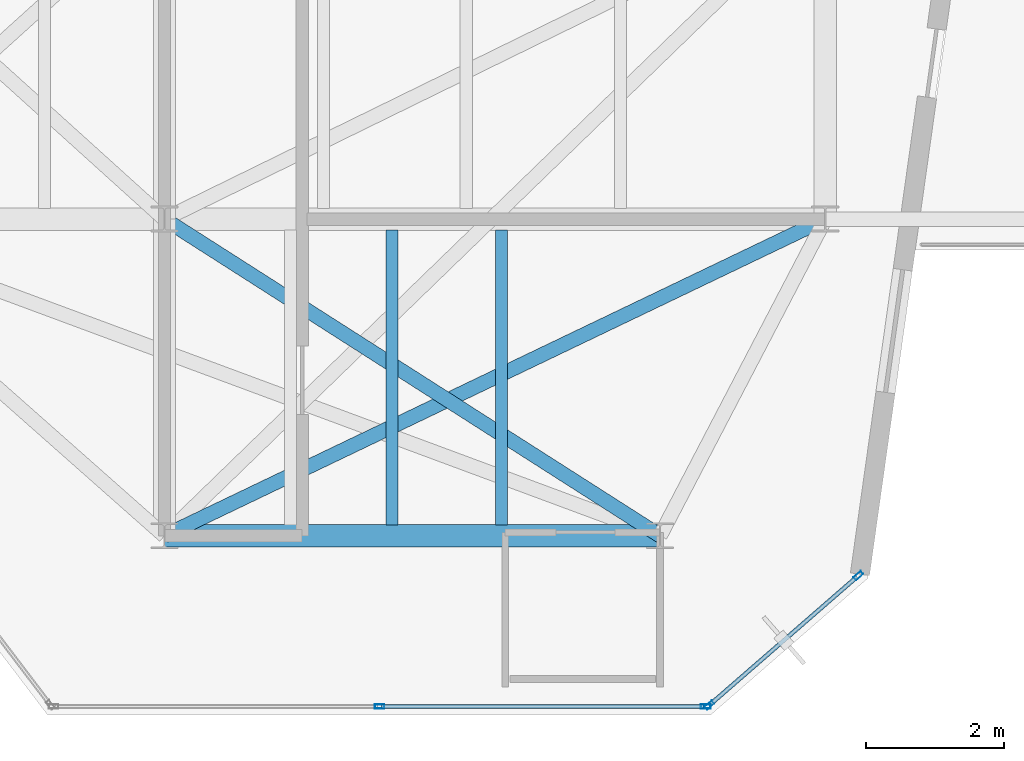
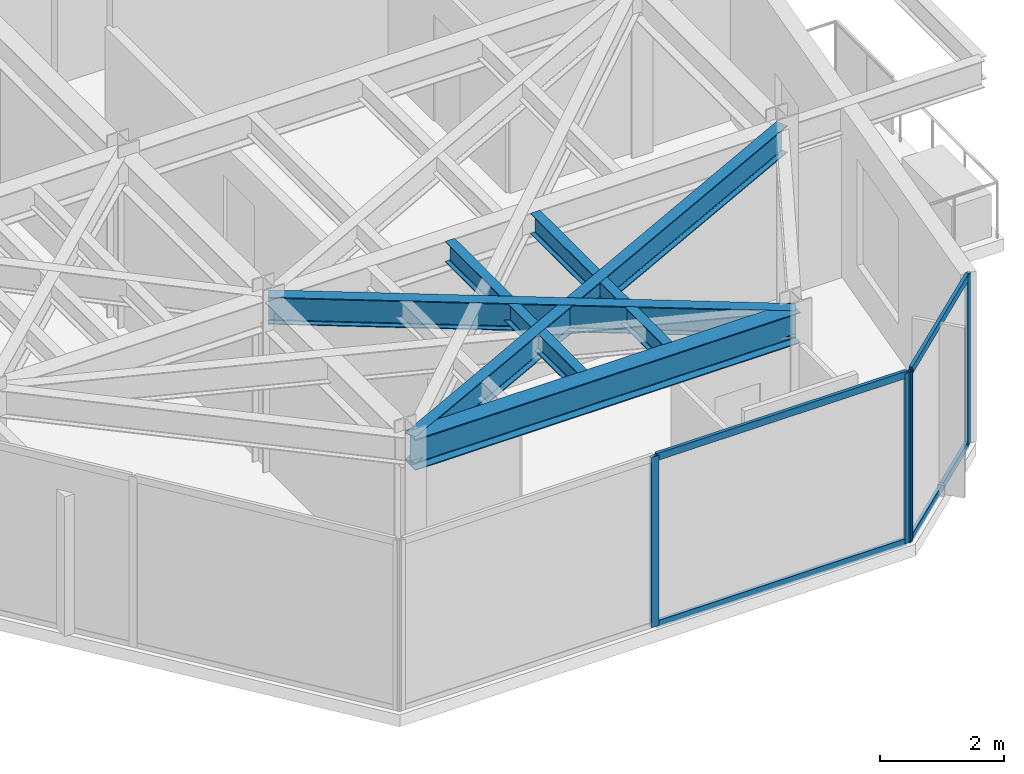
# One storey, part 9 of 16: 8 members, 5 beams, 2 elements without a shape of their own.
"""IFC4 building model written with IfcOpenShell, lengths in metres."""

import ifcopenshell
import ifcopenshell.guid

model = None  # the IFC model being written
_history = None  # IfcOwnerHistory: only IFC2X3 demands one
_inside = {}  # id of a spatial element -> (the spatial element, [elements in it])
_under = {}  # id of a project, library or spatial element -> (it, [spatial elements below it])
_declared = {}  # id of a project -> (the project, [libraries it declares])
_typed = {}  # id of a type object -> (the type object, [elements of that type])
_made_of = {}  # id of a material, layer set ... -> (it, [elements and type objects made of it])


def new_model(schema):
    """Start an empty IFC model of exactly this schema.

    Asked for "IFC4X3", IfcOpenShell would pick the latest addendum, in which some entities
    have other attributes; the version numbers below select the first issue.
    IFC2X3 requires an IfcOwnerHistory on every rooted entity: one is made here for all.
    """
    global model, _history
    if schema == "IFC4X3":
        model = ifcopenshell.file(schema_version=(4, 3, 0, 0))
    else:
        model = ifcopenshell.file(schema=schema)
    _inside.clear()
    _under.clear()
    _declared.clear()
    _typed.clear()
    _made_of.clear()
    _history = None
    if model.schema == "IFC2X3":
        org = make("IfcOrganization", Name="unknown")
        user = make(
            "IfcPersonAndOrganization",
            ThePerson=make("IfcPerson", FamilyName="unknown"),
            TheOrganization=org,
        )
        app = make(
            "IfcApplication",
            ApplicationDeveloper=org,
            Version="unknown",
            ApplicationFullName="unknown",
            ApplicationIdentifier="unknown",
        )
        _history = make(
            "IfcOwnerHistory",
            OwningUser=user,
            OwningApplication=app,
            ChangeAction="ADDED",
            CreationDate=0,
        )
    return model


def make(cls, **values):
    """One entity of the class cls with the attributes given. An attribute that is None is left unset."""
    return model.create_entity(
        cls, **{name: value for name, value in values.items() if value is not None}
    )


def rooted(cls, **values):
    """An entity with a GlobalId (a new one), such as an element, a storey or a relation."""
    return make(cls, GlobalId=ifcopenshell.guid.new(), OwnerHistory=_history, **values)


def si_unit(unit_type, name, prefix=None):
    """IfcSIUnit, for example si_unit("LENGTHUNIT", "METRE", prefix="MILLI")."""
    return make("IfcSIUnit", UnitType=unit_type, Prefix=prefix, Name=name)


def assignment(units):
    """IfcUnitAssignment: the units of a project."""
    return None if units is None else make("IfcUnitAssignment", Units=units)


def point(xyz):
    """IfcCartesianPoint."""
    return None if xyz is None else make("IfcCartesianPoint", Coordinates=xyz)


def direction(xyz):
    """IfcDirection."""
    return None if xyz is None else make("IfcDirection", DirectionRatios=xyz)


def frame(location, z_axis=None, x_axis=None):
    """IfcAxis2Placement3D, a coordinate frame: its origin and axes. An axis left out is left unset."""
    return make(
        "IfcAxis2Placement3D",
        Location=point(location),
        Axis=direction(z_axis),
        RefDirection=direction(x_axis),
    )


def frame_2d(location, x_axis=None):
    """IfcAxis2Placement2D, a coordinate frame in the plane: its origin and x axis."""
    return make(
        "IfcAxis2Placement2D", Location=point(location), RefDirection=direction(x_axis)
    )


def origin():
    """The frame at (0, 0, 0) with its axes left unset."""
    return frame((0.0, 0.0, 0.0))


def origin_2d():
    """The frame at (0, 0) in the plane with its x axis left unset."""
    return frame_2d((0.0, 0.0))


def place(relative_to, where):
    """IfcLocalPlacement: puts the frame where relative to a parent placement (None: the world)."""
    return make(
        "IfcLocalPlacement", PlacementRelTo=relative_to, RelativePlacement=where
    )


def context(
    kind, dimensions, precision=None, world=None, true_north=None, identifier=None
):
    """IfcGeometricRepresentationContext, for example the 3D "Model" context."""
    return make(
        "IfcGeometricRepresentationContext",
        ContextIdentifier=identifier,
        ContextType=kind,
        CoordinateSpaceDimension=dimensions,
        Precision=precision,
        WorldCoordinateSystem=world,
        TrueNorth=true_north,
    )


def subcontext(parent, identifier, kind, view, scale=None):
    """IfcGeometricRepresentationSubContext, for example "Body" below "Model"."""
    return make(
        "IfcGeometricRepresentationSubContext",
        ContextIdentifier=identifier,
        ContextType=kind,
        ParentContext=parent,
        TargetScale=scale,
        TargetView=view,
    )


def project(units=None, contexts=None):
    """IfcProject with its units and contexts."""
    return rooted(
        "IfcProject",
        Name="project",
        RepresentationContexts=contexts,
        UnitsInContext=assignment(units),
    )


def spatial(cls, under=None, at=None, **own):
    """A site, building, storey or space (cls), placed at a placement, below another one or the project."""
    s = rooted(cls, ObjectPlacement=at, **own)
    if under is not None:
        _under.setdefault(under.id(), (under, []))[1].append(s)
    return s


def profile(cls, at=None, kind="AREA", **sizes):
    """A parametric profile (cls). Its sizes go by their IFC names, for example OverallWidth=200.0."""
    return make(cls, ProfileType=kind, Position=at, **sizes)


def hollow_rectangle(**sizes):
    """IfcRectangleHollowProfileDef."""
    return profile("IfcRectangleHollowProfileDef", **sizes)


def i_section(**sizes):
    """IfcIShapeProfileDef."""
    return profile("IfcIShapeProfileDef", **sizes)


def extrude(swept, where, along, depth):
    """IfcExtrudedAreaSolid: the profile swept, set in the frame where, extruded along a direction by depth."""
    return make(
        "IfcExtrudedAreaSolid",
        SweptArea=swept,
        Position=where,
        ExtrudedDirection=direction(along),
        Depth=depth,
    )


def shape(context_of_items, identifier, shape_type, items):
    """IfcShapeRepresentation: the items that make up one representation, for example the "Body"."""
    return make(
        "IfcShapeRepresentation",
        ContextOfItems=context_of_items,
        RepresentationIdentifier=identifier,
        RepresentationType=shape_type,
        Items=items,
    )


def material(Name=None, Category=None):
    """IfcMaterial."""
    return make("IfcMaterial", Name=Name, Category=Category)


def layer(
    of_material, thickness, ventilated=None, Name=None, Category=None, Priority=None
):
    """IfcMaterialLayer: one layer of a wall or slab, of a material (None: an air gap)."""
    return make(
        "IfcMaterialLayer",
        Material=of_material,
        LayerThickness=thickness,
        IsVentilated=ventilated,
        Name=Name,
        Category=Category,
        Priority=Priority,
    )


def layer_set(layers, Name=None):
    """IfcMaterialLayerSet."""
    return make("IfcMaterialLayerSet", MaterialLayers=layers, LayerSetName=Name)


def material_profile(
    of_material, cross_section, Name=None, Category=None, Priority=None
):
    """IfcMaterialProfile: a cross section and its material."""
    return make(
        "IfcMaterialProfile",
        Name=Name,
        Material=of_material,
        Profile=cross_section,
        Priority=Priority,
        Category=Category,
    )


def profile_set(profiles, Name=None, composite=None):
    """IfcMaterialProfileSet."""
    return make(
        "IfcMaterialProfileSet",
        Name=Name,
        MaterialProfiles=profiles,
        CompositeProfile=composite,
    )


def made_of(thing, what):
    """Note that an element or type object is made of a material, layer set ...; save() writes the relation."""
    if what is not None:
        _made_of.setdefault(what.id(), (what, []))[1].append(thing)
    return thing


def type_object(cls, material=None, **own):
    """A type object (cls), such as IfcWallType, which elements share."""
    return made_of(rooted(cls, **own), material)


def element(
    cls,
    number,
    at=None,
    inside=None,
    cuts=None,
    type_object=None,
    material=None,
    context=None,
    identifier="Body",
    shape_type=None,
    held_by="IfcProductDefinitionShape",
    body=None,
    shapes=None,
    **own,
):
    """One element of the class cls, such as IfcWall. Its Tag is "e" and its number.

    at: its placement. inside: the storey or other place that contains it. cuts: it is an
    opening in that element (IfcRelVoidsElement). A single representation is given by context,
    identifier, shape_type and body (its items); several are given by shapes. held_by: the class
    of the entity that holds the representations. save() writes the other relations.
    """
    e = rooted(cls, Tag="e%d" % number, ObjectPlacement=at, **own)
    if body is not None:
        shapes = [shape(context, identifier, shape_type, body)]
    if shapes is not None:
        e.Representation = make(held_by, Representations=shapes)
    if inside is not None:
        _inside.setdefault(inside.id(), (inside, []))[1].append(e)
    if cuts is not None:
        rooted(
            "IfcRelVoidsElement", RelatingBuildingElement=cuts, RelatedOpeningElement=e
        )
    if type_object is not None:
        _typed.setdefault(type_object.id(), (type_object, []))[1].append(e)
    return made_of(e, material)


def aggregate(whole, parts):
    """IfcRelAggregates: a whole, such as a stair, and the parts it consists of."""
    return rooted("IfcRelAggregates", RelatingObject=whole, RelatedObjects=parts)


def save(model, path):
    """Write the relations noted so far, then the file.

    IfcRelAggregates (storeys below a building ...), IfcRelContainedInSpatialStructure (elements
    in a storey), IfcRelDefinesByType, IfcRelAssociatesMaterial and IfcRelDeclares: one each for
    every whole, place, type object, material and project.
    """
    for whole, parts in _under.values():
        aggregate(whole, parts)
    for where, things in _inside.values():
        rooted(
            "IfcRelContainedInSpatialStructure",
            RelatedElements=things,
            RelatingStructure=where,
        )
    for kind, things in _typed.values():
        rooted("IfcRelDefinesByType", RelatedObjects=things, RelatingType=kind)
    for what, things in _made_of.values():
        rooted("IfcRelAssociatesMaterial", RelatedObjects=things, RelatingMaterial=what)
    for by, libraries in _declared.values():
        rooted("IfcRelDeclares", RelatingContext=by, RelatedDefinitions=libraries)
    model.write(path)


model = new_model("IFC4")

# Units and contexts
model_context = context("Model", 3, precision=1e-05, world=origin(), true_north=direction((0.0, 1.0)))
body_context = subcontext(model_context, "Body", "Model", "MODEL_VIEW")
ifc_project = project(units=[si_unit("LENGTHUNIT", "METRE"), si_unit("AREAUNIT", "SQUARE_METRE"), si_unit("VOLUMEUNIT", "CUBIC_METRE"), si_unit("PLANEANGLEUNIT", "RADIAN"), si_unit("MASSUNIT", "GRAM", prefix="KILO")], contexts=[model_context])

# Site, building, storey
site_placement = place(None, origin())
site = spatial("IfcSite", under=ifc_project, at=site_placement, CompositionType="ELEMENT")
building_placement = place(site_placement, origin())
building = spatial("IfcBuilding", under=site, at=building_placement, Name="Kravanh Interchange Tower", CompositionType="ELEMENT")
storey_placement = place(building_placement, frame((0.0, 0.0, 303.89990234375)))
storey = spatial("IfcBuildingStorey", under=building, at=storey_placement, Name="L75", CompositionType="ELEMENT", Elevation=303.89990234375)

# Curtain wall, members
ifc_material_1 = material(Name="Anodised Bronze Aluminium", Category="aluminium")
ifc_layer = layer(ifc_material_1, 0.179931640625)
ifc_layer_set = layer_set([ifc_layer], Name="Unitised Curtain Wall System CW-HTL Luxury Hotel")
curtain_wall_type = type_object("IfcCurtainWallType", Name="Unitised Curtain Wall System CW-HTL Luxury Hotel", PredefinedType="NOTDEFINED", material=ifc_layer_set)
curtain_wall_1_placement = place(storey_placement, origin())
curtain_wall_1 = element("IfcCurtainWall", 1, at=curtain_wall_1_placement, inside=storey, type_object=curtain_wall_type, Name="L75 Unitised Curtain Wall CW-L75-02", PredefinedType="NOTDEFINED")
ifc_material_2 = material(Name="Anodised Bronze Aluminium", Category="aluminium")
ifc_material_profile_1 = material_profile(ifc_material_2, hollow_rectangle(XDim=0.06005859375, YDim=0.139892578125, WallThickness=0.00390625, at=origin_2d()), Name="ALU60X140X4")
ifc_profile_set_1 = profile_set([ifc_material_profile_1], Name="Anodised Bronze Aluminium")
member_type_1 = type_object("IfcMemberType", Name="Curtain Wall Mullion ALU60X140X4 Bronze", PredefinedType="MULLION", material=ifc_profile_set_1)
member_1_placement = place(storey_placement, frame((66.08154296875, 21.621826171875, 0.0), z_axis=(0.0, 0.0, 1.0), x_axis=(0.656050227106, -0.754717231494, 0.0)))
member_1 = element("IfcMember", 2, at=member_1_placement, type_object=member_type_1, Name="CW-HTL mullion 1", PredefinedType="MULLION", context=body_context, shape_type="SweptSolid", body=[
    extrude(hollow_rectangle(XDim=0.06005859375, YDim=0.139892578125, WallThickness=0.00390625, at=origin_2d()), origin(), (0.0, 0.0, 1.0), 3.364990234375),
])
member_2_placement = place(storey_placement, frame((63.916259765625, 19.73974609375, 0.0), z_axis=(0.0, 0.0, 1.0), x_axis=(0.656050227106, -0.754717231494, 0.0)))
member_2 = element("IfcMember", 3, at=member_2_placement, type_object=member_type_1, Name="CW-HTL mullion 2", PredefinedType="MULLION", context=body_context, shape_type="SweptSolid", body=[
    extrude(hollow_rectangle(XDim=0.06005859375, YDim=0.139892578125, WallThickness=0.00390625, at=origin_2d()), origin(), (0.0, 0.0, 1.0), 3.364990234375),
])

curtain_wall_2_placement = place(storey_placement, origin())
curtain_wall_2 = element("IfcCurtainWall", 4, at=curtain_wall_2_placement, inside=storey, type_object=curtain_wall_type, Name="L75 Unitised Curtain Wall CW-L75-03", PredefinedType="NOTDEFINED")
member_3_placement = place(storey_placement, frame((63.863525390625, 19.719970703125, 0.0), z_axis=(0.0, 0.0, 1.0), x_axis=(0.0, -1.0, 0.0)))
member_3 = element("IfcMember", 5, at=member_3_placement, type_object=member_type_1, Name="CW-HTL mullion 1", PredefinedType="MULLION", context=body_context, shape_type="SweptSolid", body=[
    extrude(hollow_rectangle(XDim=0.06005859375, YDim=0.139892578125, WallThickness=0.00390625, at=origin_2d()), origin(), (0.0, 0.0, 1.0), 3.364990234375),
])
member_4_placement = place(storey_placement, frame((59.12646484375, 19.719970703125, 0.0), z_axis=(0.0, 0.0, 1.0), x_axis=(0.0, -1.0, 0.0)))
member_4 = element("IfcMember", 6, at=member_4_placement, type_object=member_type_1, Name="CW-HTL mullion 2", PredefinedType="MULLION", context=body_context, shape_type="SweptSolid", body=[
    extrude(hollow_rectangle(XDim=0.06005859375, YDim=0.139892578125, WallThickness=0.00390625, at=origin_2d()), origin(), (0.0, 0.0, 1.0), 3.364990234375),
])

# Member
ifc_material_3 = material(Name="Anodised Bronze Aluminium", Category="aluminium")
ifc_material_profile_2 = material_profile(ifc_material_3, hollow_rectangle(XDim=0.06005859375, YDim=0.139892578125, WallThickness=0.00390625, at=origin_2d()), Name="ALU60X140X4")
ifc_profile_set_2 = profile_set([ifc_material_profile_2], Name="Anodised Bronze Aluminium")
member_type_2 = type_object("IfcMemberType", Name="Curtain Wall Transom ALU60X140X4 Bronze", PredefinedType="USERDEFINED", material=ifc_profile_set_2)
member_5_placement = place(storey_placement, frame((66.058837890625, 21.602294921875, 0.030029296875), z_axis=(-0.754704676026, -0.656064670581, 0.0), x_axis=(0.656064670581, -0.754704676026, 0.0)))
member_5 = element("IfcMember", 7, at=member_5_placement, type_object=member_type_2, Name="CW-HTL transom 1.1", ObjectType="TRANSOM", PredefinedType="USERDEFINED", context=body_context, shape_type="SweptSolid", body=[
    extrude(hollow_rectangle(XDim=0.06005859375, YDim=0.139892578125, WallThickness=0.00390625, at=origin_2d()), origin(), (0.0, 0.0, 1.0), 2.80908203125),
])

member_6_placement = place(storey_placement, frame((66.058837890625, 21.602294921875, 3.335205078125), z_axis=(-0.754704676026, -0.656064670581, 0.0), x_axis=(0.656064670581, -0.754704676026, 0.0)))
member_6 = element("IfcMember", 8, at=member_6_placement, type_object=member_type_2, Name="CW-HTL transom 1.2", ObjectType="TRANSOM", PredefinedType="USERDEFINED", context=body_context, shape_type="SweptSolid", body=[
    extrude(hollow_rectangle(XDim=0.06005859375, YDim=0.139892578125, WallThickness=0.00390625, at=origin_2d()), origin(), (0.0, 0.0, 1.0), 2.80908203125),
])

aggregate(curtain_wall_1, [member_1, member_2, member_5, member_6])

member_7_placement = place(storey_placement, frame((63.83349609375, 19.719970703125, 0.030029296875), z_axis=(-1.0, 0.0, 0.0), x_axis=(0.0, -1.0, 0.0)))
member_7 = element("IfcMember", 9, at=member_7_placement, type_object=member_type_2, Name="CW-HTL transom 1.1", ObjectType="TRANSOM", PredefinedType="USERDEFINED", context=body_context, shape_type="SweptSolid", body=[
    extrude(hollow_rectangle(XDim=0.06005859375, YDim=0.139892578125, WallThickness=0.00390625, at=origin_2d()), origin(), (0.0, 0.0, 1.0), 4.677001953125),
])

member_8_placement = place(storey_placement, frame((63.83349609375, 19.719970703125, 3.335205078125), z_axis=(-1.0, 0.0, 0.0), x_axis=(0.0, -1.0, 0.0)))
member_8 = element("IfcMember", 10, at=member_8_placement, type_object=member_type_2, Name="CW-HTL transom 1.2", ObjectType="TRANSOM", PredefinedType="USERDEFINED", context=body_context, shape_type="SweptSolid", body=[
    extrude(hollow_rectangle(XDim=0.06005859375, YDim=0.139892578125, WallThickness=0.00390625, at=origin_2d()), origin(), (0.0, 0.0, 1.0), 4.677001953125),
])

aggregate(curtain_wall_2, [member_3, member_4, member_7, member_8])

# Beams
ifc_material_4 = material(Name="Structural Steel S355", Category="steel")
ifc_material_profile_3 = material_profile(ifc_material_4, i_section(OverallWidth=0.323974609375, OverallDepth=0.611083984375, WebThickness=0.0126953125, FlangeThickness=0.01904296875, FilletRadius=0.02197265625, at=origin_2d()), Name="W24X104")
ifc_profile_set_3 = profile_set([ifc_material_profile_3], Name="Structural Steel S355")
beam_type_1 = type_object("IfcBeamType", Name="Floor Beam W24X104 Structural Steel S355", PredefinedType="BEAM", material=ifc_profile_set_3)
beam_1_placement = place(storey_placement, frame((56.0, 22.199951171875, 3.0595703125), z_axis=(1.0, 0.0, 0.0), x_axis=(0.0, 1.0, 0.0)))
element("IfcBeam", 11, at=beam_1_placement, inside=storey, type_object=beam_type_1, Name="L75 Primary Floor Girder 27", PredefinedType="BEAM", context=body_context, shape_type="SweptSolid", body=[
    extrude(i_section(OverallWidth=0.323974609375, OverallDepth=0.611083984375, WebThickness=0.0126953125, FlangeThickness=0.01904296875, FilletRadius=0.02197265625, at=origin_2d()), origin(), (0.0, 0.0, 1.0), 7.199951171875),
])
ifc_material_5 = material(Name="Structural Steel S355", Category="steel")
ifc_material_profile_4 = material_profile(ifc_material_5, i_section(OverallWidth=0.177978515625, OverallDepth=0.406005859375, WebThickness=0.0078125, FlangeThickness=0.0126953125, FilletRadius=0.01611328125, at=origin_2d()), Name="W16X40")
ifc_profile_set_4 = profile_set([ifc_material_profile_4], Name="Structural Steel S355")
beam_type_2 = type_object("IfcBeamType", Name="Floor Joist W16X40 Structural Steel S355", PredefinedType="JOIST", material=ifc_profile_set_4)
for number, where, z_axis, x_axis, name in (
    (12, (59.304931640625, 22.35693359375, 3.162109375), (0.0, 1.0, 0.0), (-1.0, 0.0, 0.0), "L75 Secondary Floor Joist 2"),
    (13, (60.89794921875, 22.35693359375, 3.162109375), (0.0, 1.0, 0.0), (-1.0, 0.0, 0.0), "L75 Secondary Floor Joist 3"),
):
    element("IfcBeam", number, at=place(storey_placement, frame(where, z_axis=z_axis, x_axis=x_axis)), inside=storey, type_object=beam_type_2, Name=name, PredefinedType="JOIST", context=body_context, shape_type="SweptSolid", body=[
        extrude(i_section(OverallWidth=0.177978515625, OverallDepth=0.406005859375, WebThickness=0.0078125, FlangeThickness=0.0126953125, FilletRadius=0.01611328125, at=origin_2d()), origin(), (0.0, 0.0, 1.0), 4.2861328125),
    ])
ifc_material_6 = material(Name="Structural Steel S355", Category="steel")
ifc_material_profile_5 = material_profile(ifc_material_6, i_section(OverallWidth=0.2099609375, OverallDepth=0.537109375, WebThickness=0.010986328125, FlangeThickness=0.017333984375, FilletRadius=0.02001953125, at=origin_2d()), Name="W21X68")
ifc_profile_set_5 = profile_set([ifc_material_profile_5], Name="Structural Steel S355")
beam_type_3 = type_object("IfcBeamType", Name="Floor Spandrel W21X68 Structural Steel S355", PredefinedType="SPANDREL", material=ifc_profile_set_5)
beam_2_placement = place(storey_placement, frame((56.0, 26.800048828125, 3.0966796875), z_axis=(0.842689417531, -0.53839998661, 0.0), x_axis=(0.53839998661, 0.842689417531, 0.0)))
element("IfcBeam", 14, at=beam_2_placement, inside=storey, type_object=beam_type_3, Name="L75 Perimeter Spandrel 23", PredefinedType="SPANDREL", context=body_context, shape_type="SweptSolid", body=[
    extrude(i_section(OverallWidth=0.2099609375, OverallDepth=0.537109375, WebThickness=0.010986328125, FlangeThickness=0.017333984375, FilletRadius=0.02001953125, at=origin_2d()), origin(), (0.0, 0.0, 1.0), 8.5439453125),
])
beam_3_placement = place(storey_placement, frame((65.60009765625, 26.800048828125, 3.0966796875), z_axis=(-0.901814166789, -0.432124066188, 0.0), x_axis=(0.432124066188, -0.901814166789, 0.0)))
element("IfcBeam", 15, at=beam_3_placement, inside=storey, type_object=beam_type_3, Name="L75 Perimeter Spandrel 26", PredefinedType="SPANDREL", context=body_context, shape_type="SweptSolid", body=[
    extrude(i_section(OverallWidth=0.2099609375, OverallDepth=0.537109375, WebThickness=0.010986328125, FlangeThickness=0.017333984375, FilletRadius=0.02001953125, at=origin_2d()), origin(), (0.0, 0.0, 1.0), 10.645263671875),
])

save(model, "model.ifc")
